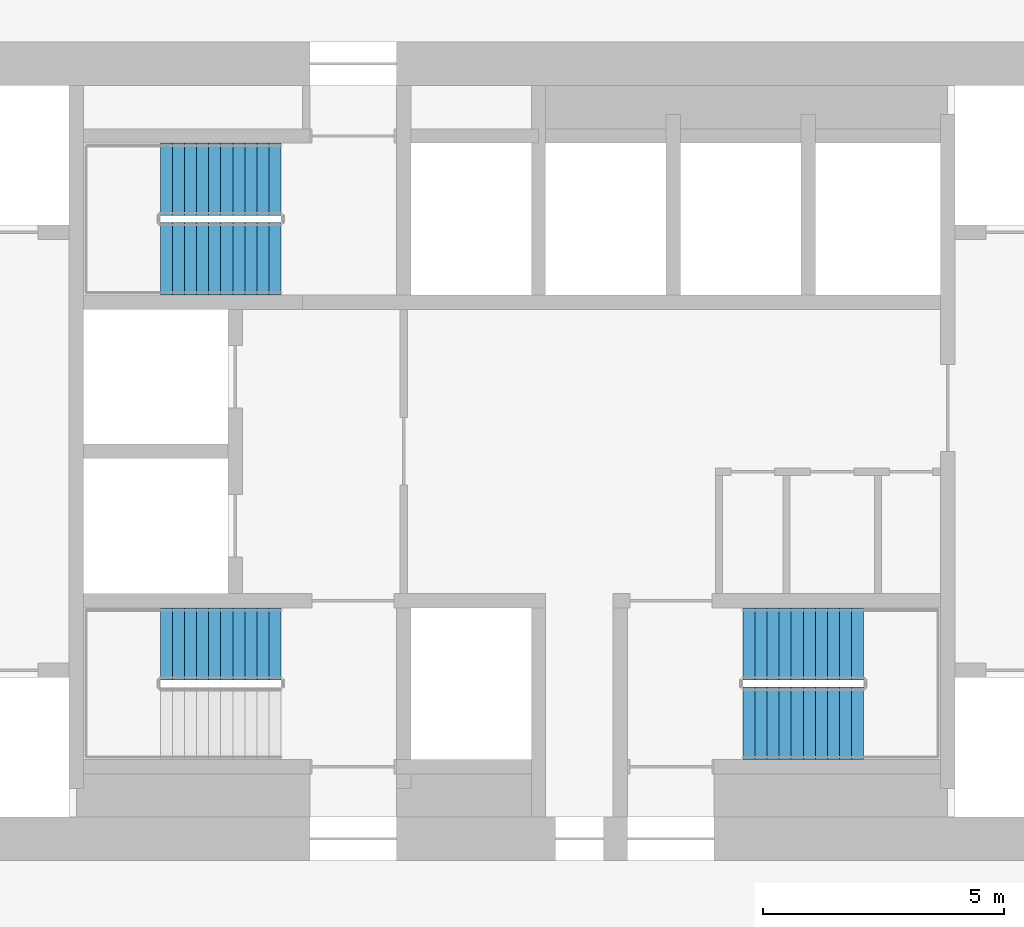
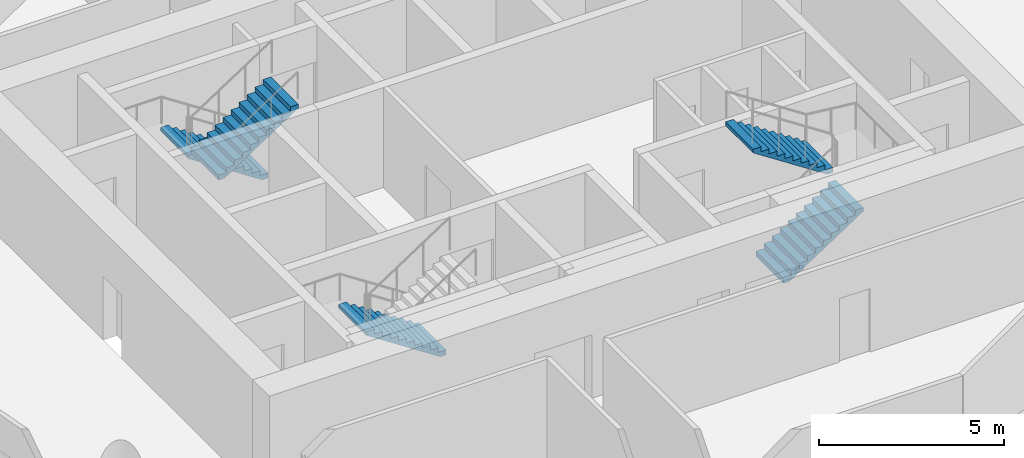
# One storey, part 8 of 9: 5 stair flights, 3 elements without a shape of their own.
"""IFC4 building model written with IfcOpenShell, lengths in metres."""

from ifc_helpers import new_model, si_unit, direction, frame, origin, place, context, subcontext, project, spatial, polyline, outline, extrude, material, type_object, element, aggregate, save


model = new_model("IFC4")

# Units and contexts
model_context = context("Model", 3, precision=1e-05, world=origin(), true_north=direction((0.0, 1.0)))
body_context = subcontext(model_context, "Body", "Model", "MODEL_VIEW")
ifc_project = project(units=[si_unit("LENGTHUNIT", "METRE"), si_unit("AREAUNIT", "SQUARE_METRE"), si_unit("VOLUMEUNIT", "CUBIC_METRE"), si_unit("PLANEANGLEUNIT", "RADIAN"), si_unit("MASSUNIT", "GRAM", prefix="KILO")], contexts=[model_context])

# Site, building, storey
site_placement = place(None, origin())
site = spatial("IfcSite", under=ifc_project, at=site_placement, CompositionType="ELEMENT")
building_placement = place(site_placement, origin())
building = spatial("IfcBuilding", under=site, at=building_placement, Name="Tracery Tower", CompositionType="ELEMENT")
storey_placement = place(building_placement, frame((0.0, 0.0, 208.800048828125)))
storey = spatial("IfcBuildingStorey", under=building, at=storey_placement, Name="L54", CompositionType="ELEMENT", Elevation=208.800048828125)

# Stair, stair flight
ifc_material_1 = material(Name="Concrete C32/40", Category="concrete")
stair_type = type_object("IfcStairType", Name="Core stair 22 risers", PredefinedType="HALF_TURN_STAIR", material=ifc_material_1)
stair_1_placement = place(storey_placement, origin())
stair_1 = element("IfcStair", 1, at=stair_1_placement, inside=storey, type_object=stair_type, Name="L54 stair ST1", PredefinedType="HALF_TURN_STAIR")
ifc_material_2 = material(Name="Concrete C32/40", Category="concrete")
stair_flight_type = type_object("IfcStairFlightType", Name="Core stair flight 11 risers", PredefinedType="STRAIGHT", material=ifc_material_2)
stair_flight_1_placement = place(storey_placement, frame((-4.800048828125, -4.0, 0.0), z_axis=(0.0, 0.0, 1.0), x_axis=(-1.0, 0.0, 0.0)))
stair_flight_1 = element("IfcStairFlight", 2, at=stair_flight_1_placement, type_object=stair_flight_type, Name="ST1 flight 1", NumberOfRisers=11, NumberOfTreads=10, PredefinedType="STRAIGHT", RiserHeight=0.163636364, TreadLength=0.25, context=body_context, shape_type="SweptSolid", body=[
    extrude(outline(polyline([(0.0, 0.0), (0.0, 0.002685546875), (0.0, 0.00537109375), (0.0, 0.008056640625), (0.0, 0.0107421875), (0.0, 0.013427734375), (0.0, 0.01611328125), (0.0, 0.018798828125), (0.0, 0.021484375), (0.0, 0.024169921875), (0.0, 0.02685546875), (0.0, 0.029541015625), (0.0, 0.0322265625), (0.0, 0.034912109375), (0.0, 0.03759765625), (0.0, 0.040283203125), (0.0, 0.04296875), (0.0, 0.045654296875), (0.0, 0.04833984375), (0.0, 0.051025390625), (0.0, 0.0537109375), (0.0, 0.056396484375), (0.0, 0.05908203125), (0.0, 0.061767578125), (0.0, 0.064453125), (0.0, 0.067138671875), (0.0, 0.06982421875), (0.0, 0.072509765625), (0.0, 0.0751953125), (0.0, 0.077880859375), (0.0, 0.08056640625), (0.0, 0.083251953125), (0.0, 0.0859375), (0.0, 0.088623046875), (0.0, 0.09130859375), (0.0, 0.093994140625), (0.0, 0.0966796875), (0.0, 0.099365234375), (0.0, 0.10205078125), (0.0, 0.104736328125), (0.0, 0.107421875), (0.0, 0.10986328125), (0.0, 0.112548828125), (0.0, 0.115234375), (0.0, 0.117919921875), (0.0, 0.12060546875), (0.0, 0.123291015625), (0.0, 0.1259765625), (0.0, 0.128662109375), (0.0, 0.13134765625), (0.0, 0.134033203125), (0.0, 0.13671875), (0.0, 0.139404296875), (0.0, 0.14208984375), (0.0, 0.144775390625), (0.0, 0.1474609375), (0.0, 0.150146484375), (0.0, 0.15283203125), (0.0, 0.155517578125), (0.0, 0.158203125), (0.0, 0.160888671875), (0.0, 0.16357421875), (0.25, 0.16357421875), (0.25, 0.327392578125), (0.5, 0.327392578125), (0.5, 0.490966796875), (0.75, 0.490966796875), (0.75, 0.654541015625), (1.0, 0.654541015625), (1.0, 0.818115234375), (1.25, 0.818115234375), (1.25, 0.98193359375), (1.5, 0.98193359375), (1.5, 1.1455078125), (1.75, 1.1455078125), (1.75, 1.30908203125), (2.0, 1.30908203125), (2.0, 1.47265625), (2.25, 1.47265625), (2.25, 1.636474609375), (2.5, 1.636474609375), (2.5, 1.634521484375), (2.5, 1.63232421875), (2.5, 1.63037109375), (2.5, 1.62841796875), (2.5, 1.62646484375), (2.5, 1.62451171875), (2.5, 1.62255859375), (2.5, 1.62060546875), (2.5, 1.61865234375), (2.5, 1.61669921875), (2.5, 1.61474609375), (2.5, 1.61279296875), (2.5, 1.61083984375), (2.5, 1.60888671875), (2.5, 1.60693359375), (2.5, 1.60498046875), (2.5, 1.60302734375), (2.5, 1.60107421875), (2.5, 1.59912109375), (2.5, 1.59716796875), (2.5, 1.59521484375), (2.5, 1.59326171875), (2.5, 1.59130859375), (2.5, 1.58935546875), (2.5, 1.58740234375), (2.5, 1.58544921875), (2.5, 1.58349609375), (2.5, 1.58154296875), (2.5, 1.57958984375), (2.5, 1.57763671875), (2.5, 1.57568359375), (2.5, 1.573486328125), (2.5, 1.571533203125), (2.5, 1.569580078125), (2.5, 1.567626953125), (2.5, 1.565673828125), (2.5, 1.563720703125), (2.5, 1.561767578125), (2.5, 1.559814453125), (2.5, 1.557861328125), (2.5, 1.555908203125), (2.5, 1.553955078125), (2.5, 1.552001953125), (2.5, 1.550048828125), (2.5, 1.548095703125), (2.5, 1.546142578125), (2.5, 1.544189453125), (2.5, 1.542236328125), (2.5, 1.540283203125), (2.5, 1.538330078125), (2.5, 1.536376953125), (2.5, 1.534423828125), (2.5, 1.532470703125), (2.5, 1.530517578125), (2.5, 1.528564453125), (2.5, 1.526611328125), (2.5, 1.524658203125), (2.5, 1.522705078125), (2.5, 1.520751953125), (2.5, 1.518798828125), (2.5, 1.516845703125), (0.182861328125, 0.0), (0.0, 0.0)])), frame((0.0, 0.75, 0.0), z_axis=(0.0, -1.0, 0.0), x_axis=(1.0, 0.0, 0.0)), (0.0, 0.0, 1.0), 1.5),
])
aggregate(stair_1, [stair_flight_1])

# Stair, stair flights
stair_2_placement = place(storey_placement, origin())
stair_2 = element("IfcStair", 3, at=stair_2_placement, inside=storey, type_object=stair_type, Name="L54 stair ST3", PredefinedType="HALF_TURN_STAIR")
stair_flight_2_placement = place(storey_placement, frame((-4.800048828125, 5.64990234375, 0.0), z_axis=(0.0, 0.0, 1.0), x_axis=(-1.0, 0.0, 0.0)))
stair_flight_2 = element("IfcStairFlight", 4, at=stair_flight_2_placement, type_object=stair_flight_type, Name="ST3 flight 1", NumberOfRisers=11, NumberOfTreads=10, PredefinedType="STRAIGHT", RiserHeight=0.163636364, TreadLength=0.25, context=body_context, shape_type="SweptSolid", body=[
    extrude(outline(polyline([(0.0, 0.0), (0.0, 0.002685546875), (0.0, 0.00537109375), (0.0, 0.008056640625), (0.0, 0.0107421875), (0.0, 0.013427734375), (0.0, 0.01611328125), (0.0, 0.018798828125), (0.0, 0.021484375), (0.0, 0.024169921875), (0.0, 0.02685546875), (0.0, 0.029541015625), (0.0, 0.0322265625), (0.0, 0.034912109375), (0.0, 0.03759765625), (0.0, 0.040283203125), (0.0, 0.04296875), (0.0, 0.045654296875), (0.0, 0.04833984375), (0.0, 0.051025390625), (0.0, 0.0537109375), (0.0, 0.056396484375), (0.0, 0.05908203125), (0.0, 0.061767578125), (0.0, 0.064453125), (0.0, 0.067138671875), (0.0, 0.06982421875), (0.0, 0.072509765625), (0.0, 0.0751953125), (0.0, 0.077880859375), (0.0, 0.08056640625), (0.0, 0.083251953125), (0.0, 0.0859375), (0.0, 0.088623046875), (0.0, 0.09130859375), (0.0, 0.093994140625), (0.0, 0.0966796875), (0.0, 0.099365234375), (0.0, 0.10205078125), (0.0, 0.104736328125), (0.0, 0.107421875), (0.0, 0.10986328125), (0.0, 0.112548828125), (0.0, 0.115234375), (0.0, 0.117919921875), (0.0, 0.12060546875), (0.0, 0.123291015625), (0.0, 0.1259765625), (0.0, 0.128662109375), (0.0, 0.13134765625), (0.0, 0.134033203125), (0.0, 0.13671875), (0.0, 0.139404296875), (0.0, 0.14208984375), (0.0, 0.144775390625), (0.0, 0.1474609375), (0.0, 0.150146484375), (0.0, 0.15283203125), (0.0, 0.155517578125), (0.0, 0.158203125), (0.0, 0.160888671875), (0.0, 0.16357421875), (0.25, 0.16357421875), (0.25, 0.327392578125), (0.5, 0.327392578125), (0.5, 0.490966796875), (0.75, 0.490966796875), (0.75, 0.654541015625), (1.0, 0.654541015625), (1.0, 0.818115234375), (1.25, 0.818115234375), (1.25, 0.98193359375), (1.5, 0.98193359375), (1.5, 1.1455078125), (1.75, 1.1455078125), (1.75, 1.30908203125), (2.0, 1.30908203125), (2.0, 1.47265625), (2.25, 1.47265625), (2.25, 1.636474609375), (2.5, 1.636474609375), (2.5, 1.634521484375), (2.5, 1.63232421875), (2.5, 1.63037109375), (2.5, 1.62841796875), (2.5, 1.62646484375), (2.5, 1.62451171875), (2.5, 1.62255859375), (2.5, 1.62060546875), (2.5, 1.61865234375), (2.5, 1.61669921875), (2.5, 1.61474609375), (2.5, 1.61279296875), (2.5, 1.61083984375), (2.5, 1.60888671875), (2.5, 1.60693359375), (2.5, 1.60498046875), (2.5, 1.60302734375), (2.5, 1.60107421875), (2.5, 1.59912109375), (2.5, 1.59716796875), (2.5, 1.59521484375), (2.5, 1.59326171875), (2.5, 1.59130859375), (2.5, 1.58935546875), (2.5, 1.58740234375), (2.5, 1.58544921875), (2.5, 1.58349609375), (2.5, 1.58154296875), (2.5, 1.57958984375), (2.5, 1.57763671875), (2.5, 1.57568359375), (2.5, 1.573486328125), (2.5, 1.571533203125), (2.5, 1.569580078125), (2.5, 1.567626953125), (2.5, 1.565673828125), (2.5, 1.563720703125), (2.5, 1.561767578125), (2.5, 1.559814453125), (2.5, 1.557861328125), (2.5, 1.555908203125), (2.5, 1.553955078125), (2.5, 1.552001953125), (2.5, 1.550048828125), (2.5, 1.548095703125), (2.5, 1.546142578125), (2.5, 1.544189453125), (2.5, 1.542236328125), (2.5, 1.540283203125), (2.5, 1.538330078125), (2.5, 1.536376953125), (2.5, 1.534423828125), (2.5, 1.532470703125), (2.5, 1.530517578125), (2.5, 1.528564453125), (2.5, 1.526611328125), (2.5, 1.524658203125), (2.5, 1.522705078125), (2.5, 1.520751953125), (2.5, 1.518798828125), (2.5, 1.516845703125), (0.182861328125, 0.0), (0.0, 0.0)])), frame((0.0, 0.75, 0.0), z_axis=(0.0, -1.0, 0.0), x_axis=(1.0, 0.0, 0.0)), (0.0, 0.0, 1.0), 1.5),
])
stair_flight_3_placement = place(storey_placement, frame((-7.300048828125, 4.0, 1.800048828125), z_axis=(0.0, 0.0, 1.0), x_axis=(1.0, 0.0, 0.0)))
stair_flight_3 = element("IfcStairFlight", 5, at=stair_flight_3_placement, type_object=stair_flight_type, Name="ST3 flight 2", NumberOfRisers=11, NumberOfTreads=10, PredefinedType="STRAIGHT", RiserHeight=0.163636364, TreadLength=0.25, context=body_context, shape_type="SweptSolid", body=[
    extrude(outline(polyline([(0.0, 0.0), (0.0, 0.002685546875), (0.0, 0.00537109375), (0.0, 0.008056640625), (0.0, 0.0107421875), (0.0, 0.013427734375), (0.0, 0.01611328125), (0.0, 0.018798828125), (0.0, 0.021484375), (0.0, 0.024169921875), (0.0, 0.02685546875), (0.0, 0.029541015625), (0.0, 0.0322265625), (0.0, 0.034912109375), (0.0, 0.03759765625), (0.0, 0.040283203125), (0.0, 0.04296875), (0.0, 0.045654296875), (0.0, 0.04833984375), (0.0, 0.051025390625), (0.0, 0.0537109375), (0.0, 0.056396484375), (0.0, 0.05908203125), (0.0, 0.061767578125), (0.0, 0.064453125), (0.0, 0.067138671875), (0.0, 0.06982421875), (0.0, 0.072509765625), (0.0, 0.0751953125), (0.0, 0.077880859375), (0.0, 0.08056640625), (0.0, 0.083251953125), (0.0, 0.0859375), (0.0, 0.088623046875), (0.0, 0.09130859375), (0.0, 0.093994140625), (0.0, 0.0966796875), (0.0, 0.099365234375), (0.0, 0.10205078125), (0.0, 0.104736328125), (0.0, 0.107421875), (0.0, 0.10986328125), (0.0, 0.112548828125), (0.0, 0.115234375), (0.0, 0.117919921875), (0.0, 0.12060546875), (0.0, 0.123291015625), (0.0, 0.1259765625), (0.0, 0.128662109375), (0.0, 0.13134765625), (0.0, 0.134033203125), (0.0, 0.13671875), (0.0, 0.139404296875), (0.0, 0.14208984375), (0.0, 0.144775390625), (0.0, 0.1474609375), (0.0, 0.150146484375), (0.0, 0.15283203125), (0.0, 0.155517578125), (0.0, 0.158203125), (0.0, 0.160888671875), (0.0, 0.16357421875), (0.25, 0.16357421875), (0.25, 0.327392578125), (0.5, 0.327392578125), (0.5, 0.490966796875), (0.75, 0.490966796875), (0.75, 0.654541015625), (1.0, 0.654541015625), (1.0, 0.818115234375), (1.25, 0.818115234375), (1.25, 0.98193359375), (1.5, 0.98193359375), (1.5, 1.1455078125), (1.75, 1.1455078125), (1.75, 1.30908203125), (2.0, 1.30908203125), (2.0, 1.47265625), (2.25, 1.47265625), (2.25, 1.636474609375), (2.5, 1.636474609375), (2.5, 1.634521484375), (2.5, 1.63232421875), (2.5, 1.63037109375), (2.5, 1.62841796875), (2.5, 1.62646484375), (2.5, 1.62451171875), (2.5, 1.62255859375), (2.5, 1.62060546875), (2.5, 1.61865234375), (2.5, 1.61669921875), (2.5, 1.61474609375), (2.5, 1.61279296875), (2.5, 1.61083984375), (2.5, 1.60888671875), (2.5, 1.60693359375), (2.5, 1.60498046875), (2.5, 1.60302734375), (2.5, 1.60107421875), (2.5, 1.59912109375), (2.5, 1.59716796875), (2.5, 1.59521484375), (2.5, 1.59326171875), (2.5, 1.59130859375), (2.5, 1.58935546875), (2.5, 1.58740234375), (2.5, 1.58544921875), (2.5, 1.58349609375), (2.5, 1.58154296875), (2.5, 1.57958984375), (2.5, 1.57763671875), (2.5, 1.57568359375), (2.5, 1.573486328125), (2.5, 1.571533203125), (2.5, 1.569580078125), (2.5, 1.567626953125), (2.5, 1.565673828125), (2.5, 1.563720703125), (2.5, 1.561767578125), (2.5, 1.559814453125), (2.5, 1.557861328125), (2.5, 1.555908203125), (2.5, 1.553955078125), (2.5, 1.552001953125), (2.5, 1.550048828125), (2.5, 1.548095703125), (2.5, 1.546142578125), (2.5, 1.544189453125), (2.5, 1.542236328125), (2.5, 1.540283203125), (2.5, 1.538330078125), (2.5, 1.536376953125), (2.5, 1.534423828125), (2.5, 1.532470703125), (2.5, 1.530517578125), (2.5, 1.528564453125), (2.5, 1.526611328125), (2.5, 1.524658203125), (2.5, 1.522705078125), (2.5, 1.520751953125), (2.5, 1.518798828125), (2.5, 1.516845703125), (0.182861328125, 0.0), (0.0, 0.0)])), frame((0.0, 0.75, 0.0), z_axis=(0.0, -1.0, 0.0), x_axis=(1.0, 0.0, 0.0)), (0.0, 0.0, 1.0), 1.5),
])
aggregate(stair_2, [stair_flight_2, stair_flight_3])

stair_3_placement = place(storey_placement, origin())
stair_3 = element("IfcStair", 6, at=stair_3_placement, inside=storey, type_object=stair_type, Name="L54 stair ST2", PredefinedType="HALF_TURN_STAIR")
stair_flight_4_placement = place(storey_placement, frame((4.800048828125, -5.64990234375, 0.0), z_axis=(0.0, 0.0, 1.0), x_axis=(1.0, 0.0, 0.0)))
stair_flight_4 = element("IfcStairFlight", 7, at=stair_flight_4_placement, type_object=stair_flight_type, Name="ST2 flight 1", NumberOfRisers=11, NumberOfTreads=10, PredefinedType="STRAIGHT", RiserHeight=0.163636364, TreadLength=0.25, context=body_context, shape_type="SweptSolid", body=[
    extrude(outline(polyline([(0.0, 0.0), (0.0, 0.002685546875), (0.0, 0.00537109375), (0.0, 0.008056640625), (0.0, 0.0107421875), (0.0, 0.013427734375), (0.0, 0.01611328125), (0.0, 0.018798828125), (0.0, 0.021484375), (0.0, 0.024169921875), (0.0, 0.02685546875), (0.0, 0.029541015625), (0.0, 0.0322265625), (0.0, 0.034912109375), (0.0, 0.03759765625), (0.0, 0.040283203125), (0.0, 0.04296875), (0.0, 0.045654296875), (0.0, 0.04833984375), (0.0, 0.051025390625), (0.0, 0.0537109375), (0.0, 0.056396484375), (0.0, 0.05908203125), (0.0, 0.061767578125), (0.0, 0.064453125), (0.0, 0.067138671875), (0.0, 0.06982421875), (0.0, 0.072509765625), (0.0, 0.0751953125), (0.0, 0.077880859375), (0.0, 0.08056640625), (0.0, 0.083251953125), (0.0, 0.0859375), (0.0, 0.088623046875), (0.0, 0.09130859375), (0.0, 0.093994140625), (0.0, 0.0966796875), (0.0, 0.099365234375), (0.0, 0.10205078125), (0.0, 0.104736328125), (0.0, 0.107421875), (0.0, 0.10986328125), (0.0, 0.112548828125), (0.0, 0.115234375), (0.0, 0.117919921875), (0.0, 0.12060546875), (0.0, 0.123291015625), (0.0, 0.1259765625), (0.0, 0.128662109375), (0.0, 0.13134765625), (0.0, 0.134033203125), (0.0, 0.13671875), (0.0, 0.139404296875), (0.0, 0.14208984375), (0.0, 0.144775390625), (0.0, 0.1474609375), (0.0, 0.150146484375), (0.0, 0.15283203125), (0.0, 0.155517578125), (0.0, 0.158203125), (0.0, 0.160888671875), (0.0, 0.16357421875), (0.25, 0.16357421875), (0.25, 0.327392578125), (0.5, 0.327392578125), (0.5, 0.490966796875), (0.75, 0.490966796875), (0.75, 0.654541015625), (1.0, 0.654541015625), (1.0, 0.818115234375), (1.25, 0.818115234375), (1.25, 0.98193359375), (1.5, 0.98193359375), (1.5, 1.1455078125), (1.75, 1.1455078125), (1.75, 1.30908203125), (2.0, 1.30908203125), (2.0, 1.47265625), (2.25, 1.47265625), (2.25, 1.636474609375), (2.5, 1.636474609375), (2.5, 1.634521484375), (2.5, 1.63232421875), (2.5, 1.63037109375), (2.5, 1.62841796875), (2.5, 1.62646484375), (2.5, 1.62451171875), (2.5, 1.62255859375), (2.5, 1.62060546875), (2.5, 1.61865234375), (2.5, 1.61669921875), (2.5, 1.61474609375), (2.5, 1.61279296875), (2.5, 1.61083984375), (2.5, 1.60888671875), (2.5, 1.60693359375), (2.5, 1.60498046875), (2.5, 1.60302734375), (2.5, 1.60107421875), (2.5, 1.59912109375), (2.5, 1.59716796875), (2.5, 1.59521484375), (2.5, 1.59326171875), (2.5, 1.59130859375), (2.5, 1.58935546875), (2.5, 1.58740234375), (2.5, 1.58544921875), (2.5, 1.58349609375), (2.5, 1.58154296875), (2.5, 1.57958984375), (2.5, 1.57763671875), (2.5, 1.57568359375), (2.5, 1.573486328125), (2.5, 1.571533203125), (2.5, 1.569580078125), (2.5, 1.567626953125), (2.5, 1.565673828125), (2.5, 1.563720703125), (2.5, 1.561767578125), (2.5, 1.559814453125), (2.5, 1.557861328125), (2.5, 1.555908203125), (2.5, 1.553955078125), (2.5, 1.552001953125), (2.5, 1.550048828125), (2.5, 1.548095703125), (2.5, 1.546142578125), (2.5, 1.544189453125), (2.5, 1.542236328125), (2.5, 1.540283203125), (2.5, 1.538330078125), (2.5, 1.536376953125), (2.5, 1.534423828125), (2.5, 1.532470703125), (2.5, 1.530517578125), (2.5, 1.528564453125), (2.5, 1.526611328125), (2.5, 1.524658203125), (2.5, 1.522705078125), (2.5, 1.520751953125), (2.5, 1.518798828125), (2.5, 1.516845703125), (0.182861328125, 0.0), (0.0, 0.0)])), frame((0.0, 0.75, 0.0), z_axis=(0.0, -1.0, 0.0), x_axis=(1.0, 0.0, 0.0)), (0.0, 0.0, 1.0), 1.5),
])
stair_flight_5_placement = place(storey_placement, frame((7.300048828125, -4.0, 1.800048828125), z_axis=(0.0, 0.0, 1.0), x_axis=(-1.0, 0.0, 0.0)))
stair_flight_5 = element("IfcStairFlight", 8, at=stair_flight_5_placement, type_object=stair_flight_type, Name="ST2 flight 2", NumberOfRisers=11, NumberOfTreads=10, PredefinedType="STRAIGHT", RiserHeight=0.163636364, TreadLength=0.25, context=body_context, shape_type="SweptSolid", body=[
    extrude(outline(polyline([(0.0, 0.0), (0.0, 0.002685546875), (0.0, 0.00537109375), (0.0, 0.008056640625), (0.0, 0.0107421875), (0.0, 0.013427734375), (0.0, 0.01611328125), (0.0, 0.018798828125), (0.0, 0.021484375), (0.0, 0.024169921875), (0.0, 0.02685546875), (0.0, 0.029541015625), (0.0, 0.0322265625), (0.0, 0.034912109375), (0.0, 0.03759765625), (0.0, 0.040283203125), (0.0, 0.04296875), (0.0, 0.045654296875), (0.0, 0.04833984375), (0.0, 0.051025390625), (0.0, 0.0537109375), (0.0, 0.056396484375), (0.0, 0.05908203125), (0.0, 0.061767578125), (0.0, 0.064453125), (0.0, 0.067138671875), (0.0, 0.06982421875), (0.0, 0.072509765625), (0.0, 0.0751953125), (0.0, 0.077880859375), (0.0, 0.08056640625), (0.0, 0.083251953125), (0.0, 0.0859375), (0.0, 0.088623046875), (0.0, 0.09130859375), (0.0, 0.093994140625), (0.0, 0.0966796875), (0.0, 0.099365234375), (0.0, 0.10205078125), (0.0, 0.104736328125), (0.0, 0.107421875), (0.0, 0.10986328125), (0.0, 0.112548828125), (0.0, 0.115234375), (0.0, 0.117919921875), (0.0, 0.12060546875), (0.0, 0.123291015625), (0.0, 0.1259765625), (0.0, 0.128662109375), (0.0, 0.13134765625), (0.0, 0.134033203125), (0.0, 0.13671875), (0.0, 0.139404296875), (0.0, 0.14208984375), (0.0, 0.144775390625), (0.0, 0.1474609375), (0.0, 0.150146484375), (0.0, 0.15283203125), (0.0, 0.155517578125), (0.0, 0.158203125), (0.0, 0.160888671875), (0.0, 0.16357421875), (0.25, 0.16357421875), (0.25, 0.327392578125), (0.5, 0.327392578125), (0.5, 0.490966796875), (0.75, 0.490966796875), (0.75, 0.654541015625), (1.0, 0.654541015625), (1.0, 0.818115234375), (1.25, 0.818115234375), (1.25, 0.98193359375), (1.5, 0.98193359375), (1.5, 1.1455078125), (1.75, 1.1455078125), (1.75, 1.30908203125), (2.0, 1.30908203125), (2.0, 1.47265625), (2.25, 1.47265625), (2.25, 1.636474609375), (2.5, 1.636474609375), (2.5, 1.634521484375), (2.5, 1.63232421875), (2.5, 1.63037109375), (2.5, 1.62841796875), (2.5, 1.62646484375), (2.5, 1.62451171875), (2.5, 1.62255859375), (2.5, 1.62060546875), (2.5, 1.61865234375), (2.5, 1.61669921875), (2.5, 1.61474609375), (2.5, 1.61279296875), (2.5, 1.61083984375), (2.5, 1.60888671875), (2.5, 1.60693359375), (2.5, 1.60498046875), (2.5, 1.60302734375), (2.5, 1.60107421875), (2.5, 1.59912109375), (2.5, 1.59716796875), (2.5, 1.59521484375), (2.5, 1.59326171875), (2.5, 1.59130859375), (2.5, 1.58935546875), (2.5, 1.58740234375), (2.5, 1.58544921875), (2.5, 1.58349609375), (2.5, 1.58154296875), (2.5, 1.57958984375), (2.5, 1.57763671875), (2.5, 1.57568359375), (2.5, 1.573486328125), (2.5, 1.571533203125), (2.5, 1.569580078125), (2.5, 1.567626953125), (2.5, 1.565673828125), (2.5, 1.563720703125), (2.5, 1.561767578125), (2.5, 1.559814453125), (2.5, 1.557861328125), (2.5, 1.555908203125), (2.5, 1.553955078125), (2.5, 1.552001953125), (2.5, 1.550048828125), (2.5, 1.548095703125), (2.5, 1.546142578125), (2.5, 1.544189453125), (2.5, 1.542236328125), (2.5, 1.540283203125), (2.5, 1.538330078125), (2.5, 1.536376953125), (2.5, 1.534423828125), (2.5, 1.532470703125), (2.5, 1.530517578125), (2.5, 1.528564453125), (2.5, 1.526611328125), (2.5, 1.524658203125), (2.5, 1.522705078125), (2.5, 1.520751953125), (2.5, 1.518798828125), (2.5, 1.516845703125), (0.182861328125, 0.0), (0.0, 0.0)])), frame((0.0, 0.75, 0.0), z_axis=(0.0, -1.0, 0.0), x_axis=(1.0, 0.0, 0.0)), (0.0, 0.0, 1.0), 1.5),
])
aggregate(stair_3, [stair_flight_4, stair_flight_5])

save(model, "model.ifc")
